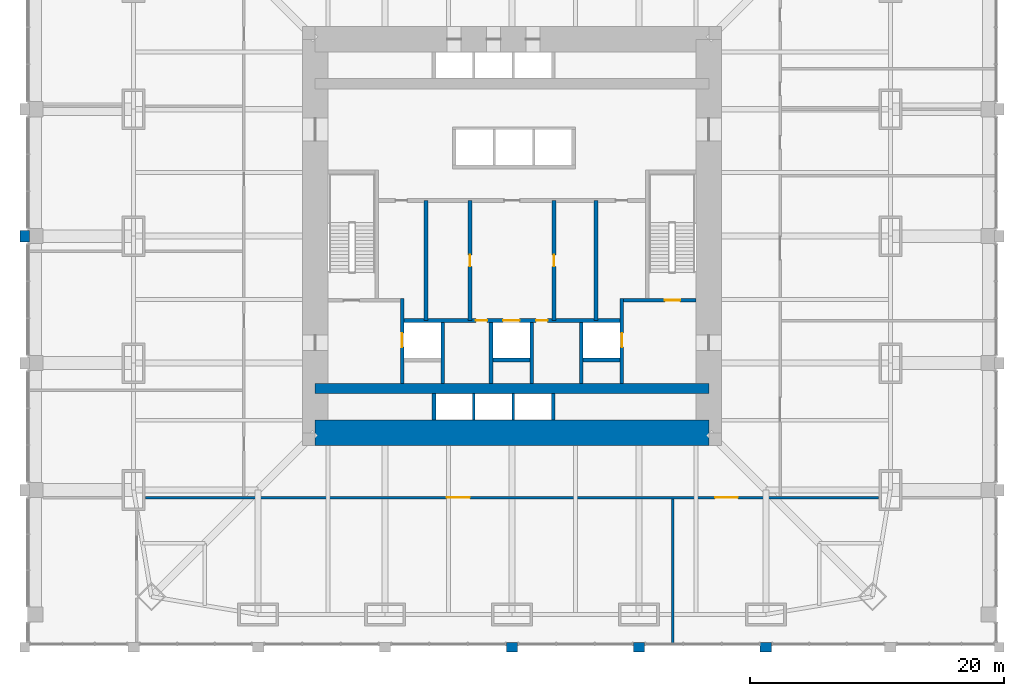
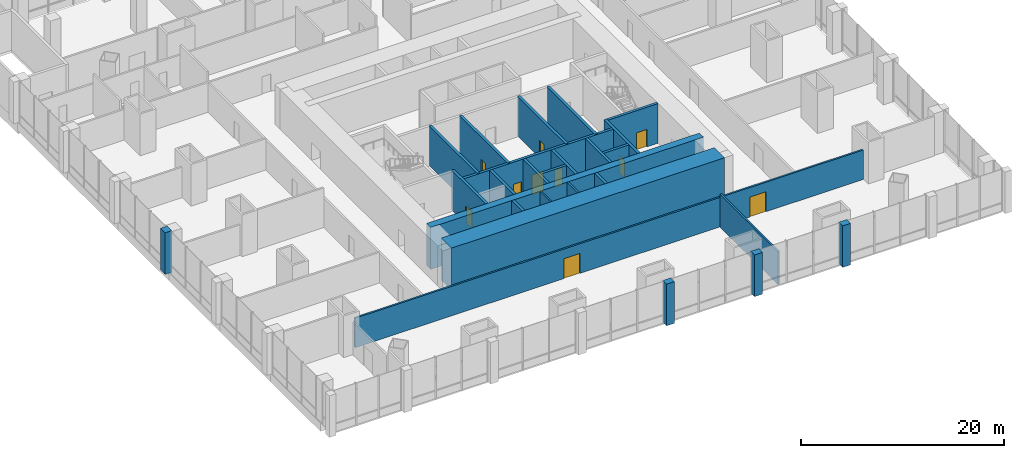
# One storey, part 17 of 22: 26 walls, 10 doors, 10 openings.
"""IFC4 building model written with IfcOpenShell, lengths in metres."""

from ifc_helpers import new_model, si_unit, direction, frame, frame_2d, origin, place, context, subcontext, project, spatial, rectangle, extrude, material, layer, layer_set, type_object, element, fill, save


model = new_model("IFC4")

# Units and contexts
model_context = context("Model", 3, precision=1e-05, world=origin(), true_north=direction((0.0, 1.0)))
body_context = subcontext(model_context, "Body", "Model", "MODEL_VIEW")
ifc_project = project(units=[si_unit("LENGTHUNIT", "METRE"), si_unit("AREAUNIT", "SQUARE_METRE"), si_unit("VOLUMEUNIT", "CUBIC_METRE"), si_unit("PLANEANGLEUNIT", "RADIAN"), si_unit("MASSUNIT", "GRAM", prefix="KILO")], contexts=[model_context])

# Site, building, storey
site_placement = place(None, origin())
site = spatial("IfcSite", under=ifc_project, at=site_placement, CompositionType="ELEMENT")
building_placement = place(site_placement, origin())
building = spatial("IfcBuilding", under=site, at=building_placement, Name="Khuree Lantern Residences", CompositionType="ELEMENT")
storey_placement = place(building_placement, frame((0.0, 0.0, 16.0)))
storey = spatial("IfcBuildingStorey", under=building, at=storey_placement, Name="L03", CompositionType="ELEMENT", Elevation=16.0)

# Wall, opening, door
ifc_material_1 = material(Name="Dense concrete blockwork", Category="masonry")
ifc_layer_1 = layer(ifc_material_1, 0.300048828125)
ifc_layer_set_1 = layer_set([ifc_layer_1], Name="CORE PARTITION WALL CPW300 EI 120")
wall_type_1 = type_object("IfcWallType", Name="CORE PARTITION WALL CPW300 EI 120", PredefinedType="PARTITIONING", material=ifc_layer_set_1)
wall_1_placement = place(storey_placement, frame((-8.64990234375, -11.60009765625, 0.0), z_axis=(0.0, 0.0, 1.0), x_axis=(0.0, 1.0, 0.0)))
wall_1 = element("IfcWall", 1, at=wall_1_placement, inside=storey, type_object=wall_type_1, Name="L03 CORE WALL FL1W", PredefinedType="PARTITIONING", context=body_context, shape_type="SweptSolid", body=[
    extrude(rectangle(XDim=6.7001953125, YDim=0.300048828125, at=frame_2d((3.35009765625, 0.0))), origin(), (0.0, 0.0, 1.0), 4.75),
])
opening_1_placement = place(wall_1_placement, frame((2.85009765625, 0.0, 0.0)))
opening_1 = element("IfcOpeningElement", 2, at=opening_1_placement, cuts=wall_1, Name="Opening 03-007", PredefinedType="OPENING", context=body_context, shape_type="SweptSolid", body=[
    extrude(rectangle(XDim=1.10009765625, YDim=2.10009765625, at=frame_2d((0.550048828125, 1.050048828125))), frame((0.0, 0.16015625, 0.0), z_axis=(0.0, -1.0, 0.0), x_axis=(1.0, 0.0, 0.0)), (0.0, 0.0, 1.0), 0.320068359375),
])
ifc_material_2 = material(Name="Stainless steel lift landing door", Category="steel")
door_type_1 = type_object("IfcDoorType", Name="LIFT LANDING DOOR 1100X2100 E 120", OperationType="DOUBLE_DOOR_SLIDING", PredefinedType="DOOR", material=ifc_material_2)
door_1_placement = place(opening_1_placement, origin())
door_1 = element("IfcDoor", 3, at=door_1_placement, inside=storey, type_object=door_type_1, Name="Landing door FL1 03-007", OperationType="DOUBLE_DOOR_SLIDING", OverallHeight=2.10009765625, OverallWidth=1.10009765625, PredefinedType="DOOR", context=body_context, shape_type="SweptSolid", body=[
    extrude(rectangle(XDim=1.10009765625, YDim=2.10009765625, at=frame_2d((0.550048828125, 1.050048828125))), frame((0.0, 0.02490234375, 0.0), z_axis=(0.0, -1.0, 0.0), x_axis=(1.0, 0.0, 0.0)), (0.0, 0.0, 1.0), 0.050048828125),
])
fill(opening_1, door_1)

wall_2_placement = place(storey_placement, frame((8.64990234375, -11.60009765625, 0.0), z_axis=(0.0, 0.0, 1.0), x_axis=(0.0, 1.0, 0.0)))
wall_2 = element("IfcWall", 4, at=wall_2_placement, inside=storey, type_object=wall_type_1, Name="L03 CORE WALL FL2E", PredefinedType="PARTITIONING", context=body_context, shape_type="SweptSolid", body=[
    extrude(rectangle(XDim=6.7001953125, YDim=0.300048828125, at=frame_2d((3.35009765625, 0.0))), origin(), (0.0, 0.0, 1.0), 4.75),
])
opening_2_placement = place(wall_2_placement, frame((2.85009765625, 0.0, 0.0)))
opening_2 = element("IfcOpeningElement", 5, at=opening_2_placement, cuts=wall_2, Name="Opening 03-008", PredefinedType="OPENING", context=body_context, shape_type="SweptSolid", body=[
    extrude(rectangle(XDim=1.10009765625, YDim=2.10009765625, at=frame_2d((0.550048828125, 1.050048828125))), frame((0.0, 0.16015625, 0.0), z_axis=(0.0, -1.0, 0.0), x_axis=(1.0, 0.0, 0.0)), (0.0, 0.0, 1.0), 0.320068359375),
])
door_2_placement = place(opening_2_placement, origin())
door_2 = element("IfcDoor", 6, at=door_2_placement, inside=storey, type_object=door_type_1, Name="Landing door FL2 03-008", OperationType="DOUBLE_DOOR_SLIDING", OverallHeight=2.10009765625, OverallWidth=1.10009765625, PredefinedType="DOOR", context=body_context, shape_type="SweptSolid", body=[
    extrude(rectangle(XDim=1.10009765625, YDim=2.10009765625, at=frame_2d((0.550048828125, 1.050048828125))), frame((0.0, 0.02490234375, 0.0), z_axis=(0.0, -1.0, 0.0), x_axis=(1.0, 0.0, 0.0)), (0.0, 0.0, 1.0), 0.050048828125),
])
fill(opening_2, door_2)

# Wall, openings, doors
wall_3_placement = place(storey_placement, frame((-8.5, -6.64990234375, 0.0), z_axis=(0.0, 0.0, 1.0), x_axis=(1.0, 0.0, 0.0)))
wall_3 = element("IfcWall", 7, at=wall_3_placement, inside=storey, type_object=wall_type_1, Name="L03 CORE WALL FLROW", PredefinedType="PARTITIONING", context=body_context, shape_type="SweptSolid", body=[
    extrude(rectangle(XDim=17.0, YDim=0.300048828125, at=frame_2d((8.5, 0.0))), origin(), (0.0, 0.0, 1.0), 4.75),
])
opening_3_placement = place(wall_3_placement, frame((7.800048828125, 0.0, 0.0)))
opening_3 = element("IfcOpeningElement", 8, at=opening_3_placement, cuts=wall_3, Name="Opening 03-012", PredefinedType="OPENING", context=body_context, shape_type="SweptSolid", body=[
    extrude(rectangle(XDim=1.300048828125, YDim=2.39990234375, at=frame_2d((0.64990234375, 1.199951171875))), frame((0.0, 0.16015625, 0.0), z_axis=(0.0, -1.0, 0.0), x_axis=(1.0, 0.0, 0.0)), (0.0, 0.0, 1.0), 0.320068359375),
])
opening_4_placement = place(wall_3_placement, frame((5.64990234375, 0.0, 0.0)))
opening_4 = element("IfcOpeningElement", 9, at=opening_4_placement, cuts=wall_3, Name="Opening 03-014", PredefinedType="OPENING", context=body_context, shape_type="SweptSolid", body=[
    extrude(rectangle(XDim=0.89990234375, YDim=2.10009765625, at=frame_2d((0.449951171875, 1.050048828125))), frame((0.0, 0.16015625, 0.0), z_axis=(0.0, -1.0, 0.0), x_axis=(1.0, 0.0, 0.0)), (0.0, 0.0, 1.0), 0.320068359375),
])
opening_5_placement = place(wall_3_placement, frame((10.39990234375, 0.0, 0.0)))
opening_5 = element("IfcOpeningElement", 10, at=opening_5_placement, cuts=wall_3, Name="Opening 03-015", PredefinedType="OPENING", context=body_context, shape_type="SweptSolid", body=[
    extrude(rectangle(XDim=0.89990234375, YDim=2.10009765625, at=frame_2d((0.449951171875, 1.050048828125))), frame((0.0, 0.16015625, 0.0), z_axis=(0.0, -1.0, 0.0), x_axis=(1.0, 0.0, 0.0)), (0.0, 0.0, 1.0), 0.320068359375),
])
ifc_material_3 = material(Name="Steel door leaf in steel frame", Category="steel")
door_type_2 = type_object("IfcDoorType", Name="DOOR 900X2100 EI 60", OperationType="SINGLE_SWING_LEFT", PredefinedType="DOOR", material=ifc_material_3)
door_3_placement = place(opening_4_placement, origin())
door_3 = element("IfcDoor", 11, at=door_3_placement, inside=storey, type_object=door_type_2, Name="Electrical riser door 03-014", OperationType="SINGLE_SWING_LEFT", OverallHeight=2.10009765625, OverallWidth=0.89990234375, PredefinedType="DOOR", context=body_context, shape_type="SweptSolid", body=[
    extrude(rectangle(XDim=0.89990234375, YDim=2.10009765625, at=frame_2d((0.449951171875, 1.050048828125))), frame((0.0, 0.02490234375, 0.0), z_axis=(0.0, -1.0, 0.0), x_axis=(1.0, 0.0, 0.0)), (0.0, 0.0, 1.0), 0.050048828125),
])
fill(opening_4, door_3)
door_type_3 = type_object("IfcDoorType", Name="DOOR 900X2100 EI 60 RIGHT HAND", OperationType="SINGLE_SWING_RIGHT", PredefinedType="DOOR", material=ifc_material_3)
door_4_placement = place(opening_5_placement, origin())
door_4 = element("IfcDoor", 12, at=door_4_placement, inside=storey, type_object=door_type_3, Name="Plumbing riser door 03-015", OperationType="SINGLE_SWING_RIGHT", OverallHeight=2.10009765625, OverallWidth=0.89990234375, PredefinedType="DOOR", context=body_context, shape_type="SweptSolid", body=[
    extrude(rectangle(XDim=0.89990234375, YDim=2.10009765625, at=frame_2d((0.449951171875, 1.050048828125))), frame((0.0, 0.02490234375, 0.0), z_axis=(0.0, -1.0, 0.0), x_axis=(1.0, 0.0, 0.0)), (0.0, 0.0, 1.0), 0.050048828125),
])
fill(opening_5, door_4)
door_type_4 = type_object("IfcDoorType", Name="LIFT LANDING DOOR 1300X2400 E 60", OperationType="DOUBLE_DOOR_SLIDING", PredefinedType="DOOR", material=ifc_material_2)
door_5_placement = place(opening_3_placement, origin())
door_5 = element("IfcDoor", 13, at=door_5_placement, inside=storey, type_object=door_type_4, Name="Landing door SL1 03-012", OperationType="DOUBLE_DOOR_SLIDING", OverallHeight=2.39990234375, OverallWidth=1.300048828125, PredefinedType="DOOR", context=body_context, shape_type="SweptSolid", body=[
    extrude(rectangle(XDim=1.300048828125, YDim=2.39990234375, at=frame_2d((0.64990234375, 1.199951171875))), frame((0.0, 0.02490234375, 0.0), z_axis=(0.0, -1.0, 0.0), x_axis=(1.0, 0.0, 0.0)), (0.0, 0.0, 1.0), 0.050048828125),
])
fill(opening_3, door_5)

# Walls
for number, where, z_axis, x_axis, name in (
    (14, (-5.449951171875, -11.60009765625, 0.0), (0.0, 0.0, 1.0), (0.0, 1.0, 0.0), "L03 CORE WALL FL1E"),
    (15, (-1.64990234375, -11.60009765625, 0.0), (0.0, 0.0, 1.0), (0.0, 1.0, 0.0), "L03 CORE WALL SL1W"),
    (16, (1.550048828125, -11.60009765625, 0.0), (0.0, 0.0, 1.0), (0.0, 1.0, 0.0), "L03 CORE WALL SL1E"),
    (17, (5.449951171875, -11.60009765625, 0.0), (0.0, 0.0, 1.0), (0.0, 1.0, 0.0), "L03 CORE WALL FL2W"),
):
    element("IfcWall", number, at=place(storey_placement, frame(where, z_axis=z_axis, x_axis=x_axis)), inside=storey, type_object=wall_type_1, Name=name, PredefinedType="PARTITIONING", context=body_context, shape_type="SweptSolid", body=[
        extrude(rectangle(XDim=4.800048828125, YDim=0.300048828125, at=frame_2d((2.39990234375, 0.0))), origin(), (0.0, 0.0, 1.0), 4.75),
    ])
for number, where, z_axis, x_axis, name in (
    (18, (-1.5, -9.75, 0.0), (0.0, 0.0, 1.0), (1.0, 0.0, 0.0), "L03 CORE WALL SL1S"),
    (19, (5.60009765625, -9.75, 0.0), (0.0, 0.0, 1.0), (1.0, 0.0, 0.0), "L03 CORE WALL FL2S"),
):
    element("IfcWall", number, at=place(storey_placement, frame(where, z_axis=z_axis, x_axis=x_axis)), inside=storey, type_object=wall_type_1, Name=name, PredefinedType="PARTITIONING", context=body_context, shape_type="SweptSolid", body=[
        extrude(rectangle(XDim=2.89990234375, YDim=0.300048828125, at=frame_2d((1.449951171875, 0.0))), origin(), (0.0, 0.0, 1.0), 4.75),
    ])
for number, where, z_axis, x_axis, name in (
    (20, (-6.14990234375, -14.5, 0.0), (0.0, 0.0, 1.0), (0.0, 1.0, 0.0), "L03 CORE WALL PMW"),
    (21, (3.25, -14.5, 0.0), (0.0, 0.0, 1.0), (0.0, 1.0, 0.0), "L03 CORE WALL PME"),
):
    element("IfcWall", number, at=place(storey_placement, frame(where, z_axis=z_axis, x_axis=x_axis)), inside=storey, type_object=wall_type_1, Name=name, PredefinedType="PARTITIONING", context=body_context, shape_type="SweptSolid", body=[
        extrude(rectangle(XDim=2.10009765625, YDim=0.300048828125, at=frame_2d((1.050048828125, 0.0))), origin(), (0.0, 0.0, 1.0), 4.75),
    ])

# Wall, opening, door
wall_4_placement = place(storey_placement, frame((-3.300048828125, -6.64990234375, 0.0), z_axis=(0.0, 0.0, 1.0), x_axis=(0.0, 1.0, 0.0)))
wall_4 = element("IfcWall", 22, at=wall_4_placement, inside=storey, type_object=wall_type_1, Name="L03 CORE WALL SVW", PredefinedType="PARTITIONING", context=body_context, shape_type="SweptSolid", body=[
    extrude(rectangle(XDim=9.449951171875, YDim=0.300048828125, at=frame_2d((4.72509765625, 0.0))), origin(), (0.0, 0.0, 1.0), 4.75),
])
opening_6_placement = place(wall_4_placement, frame((4.27490234375, 0.0, 0.0)))
opening_6 = element("IfcOpeningElement", 23, at=opening_6_placement, cuts=wall_4, Name="Opening 03-016", PredefinedType="OPENING", context=body_context, shape_type="SweptSolid", body=[
    extrude(rectangle(XDim=0.89990234375, YDim=2.10009765625, at=frame_2d((0.449951171875, 1.050048828125))), frame((0.0, 0.16015625, 0.0), z_axis=(0.0, -1.0, 0.0), x_axis=(1.0, 0.0, 0.0)), (0.0, 0.0, 1.0), 0.320068359375),
])
ifc_material_4 = material(Name="Timber door leaf in hardwood frame", Category="wood")
door_type_5 = type_object("IfcDoorType", Name="DOOR 900X2100", OperationType="SINGLE_SWING_LEFT", PredefinedType="DOOR", material=ifc_material_4)
door_6_placement = place(opening_6_placement, origin())
door_6 = element("IfcDoor", 24, at=door_6_placement, inside=storey, type_object=door_type_5, Name="Store door 03-016", OperationType="SINGLE_SWING_LEFT", OverallHeight=2.10009765625, OverallWidth=0.89990234375, PredefinedType="DOOR", context=body_context, shape_type="SweptSolid", body=[
    extrude(rectangle(XDim=0.89990234375, YDim=2.10009765625, at=frame_2d((0.449951171875, 1.050048828125))), frame((0.0, 0.02490234375, 0.0), z_axis=(0.0, -1.0, 0.0), x_axis=(1.0, 0.0, 0.0)), (0.0, 0.0, 1.0), 0.050048828125),
])
fill(opening_6, door_6)

wall_5_placement = place(storey_placement, frame((3.300048828125, -6.64990234375, 0.0), z_axis=(0.0, 0.0, 1.0), x_axis=(0.0, 1.0, 0.0)))
wall_5 = element("IfcWall", 25, at=wall_5_placement, inside=storey, type_object=wall_type_1, Name="L03 CORE WALL SVE", PredefinedType="PARTITIONING", context=body_context, shape_type="SweptSolid", body=[
    extrude(rectangle(XDim=9.449951171875, YDim=0.300048828125, at=frame_2d((4.72509765625, 0.0))), origin(), (0.0, 0.0, 1.0), 4.75),
])
opening_7_placement = place(wall_5_placement, frame((4.27490234375, 0.0, 0.0)))
opening_7 = element("IfcOpeningElement", 26, at=opening_7_placement, cuts=wall_5, Name="Opening 03-018", PredefinedType="OPENING", context=body_context, shape_type="SweptSolid", body=[
    extrude(rectangle(XDim=0.89990234375, YDim=2.10009765625, at=frame_2d((0.449951171875, 1.050048828125))), frame((0.0, 0.16015625, 0.0), z_axis=(0.0, -1.0, 0.0), x_axis=(1.0, 0.0, 0.0)), (0.0, 0.0, 1.0), 0.320068359375),
])
door_7_placement = place(opening_7_placement, origin())
door_7 = element("IfcDoor", 27, at=door_7_placement, inside=storey, type_object=door_type_5, Name="Store door 03-018", OperationType="SINGLE_SWING_LEFT", OverallHeight=2.10009765625, OverallWidth=0.89990234375, PredefinedType="DOOR", context=body_context, shape_type="SweptSolid", body=[
    extrude(rectangle(XDim=0.89990234375, YDim=2.10009765625, at=frame_2d((0.449951171875, 1.050048828125))), frame((0.0, 0.02490234375, 0.0), z_axis=(0.0, -1.0, 0.0), x_axis=(1.0, 0.0, 0.0)), (0.0, 0.0, 1.0), 0.050048828125),
])
fill(opening_7, door_7)

# Walls
for number, where, z_axis, x_axis, name in (
    (28, (-6.763916015625, -6.64990234375, 0.0), (0.0, 0.0, 1.0), (0.0, 1.0, 0.0), "L03 CORE WALL WV"),
    (29, (6.6220703125, -6.64990234375, 0.0), (0.0, 0.0, 1.0), (0.0, 1.0, 0.0), "L03 CORE WALL EV"),
):
    element("IfcWall", number, at=place(storey_placement, frame(where, z_axis=z_axis, x_axis=x_axis)), inside=storey, type_object=wall_type_1, Name=name, PredefinedType="PARTITIONING", context=body_context, shape_type="SweptSolid", body=[
        extrude(rectangle(XDim=9.449951171875, YDim=0.300048828125, at=frame_2d((4.72509765625, 0.0))), origin(), (0.0, 0.0, 1.0), 4.75),
    ])
ifc_material_5 = material(Name="Concrete C70/85", Category="concrete")
ifc_layer_2 = layer(ifc_material_5, 2.0)
ifc_layer_set_2 = layer_set([ifc_layer_2], Name="CW2000-C70 CORE WALL C70 2000")
wall_type_2 = type_object("IfcWallType", Name="CW2000-C70 CORE WALL C70 2000", PredefinedType="SHEAR", material=ifc_layer_set_2)
wall_6_placement = place(storey_placement, frame((-15.5, -15.5, -0.300048828125), z_axis=(0.0, 0.0, 1.0), x_axis=(1.0, 0.0, 0.0)))
element("IfcWall", 30, at=wall_6_placement, inside=storey, type_object=wall_type_2, Name="Core wall S", PredefinedType="SHEAR", context=body_context, shape_type="SweptSolid", body=[
    extrude(rectangle(XDim=31.0, YDim=2.0, at=frame_2d((15.5, 0.0))), origin(), (0.0, 0.0, 1.0), 5.050048828125),
])

# Wall, openings, doors
ifc_layer_3 = layer(ifc_material_1, 0.199951171875)
ifc_layer_set_3 = layer_set([ifc_layer_3], Name="FIRE-RATED ROOM WALL FRW200 EI 120")
wall_type_3 = type_object("IfcWallType", Name="FIRE-RATED ROOM WALL FRW200 EI 120", PredefinedType="SOLIDWALL", material=ifc_layer_set_3)
wall_7_placement = place(storey_placement, frame((-28.869873046875, -20.591064453125, 0.0), z_axis=(0.0, 0.0, 1.0), x_axis=(1.0, 0.0, 0.0)))
wall_7 = element("IfcWall", 31, at=wall_7_placement, inside=storey, type_object=wall_type_3, Name="L03 ROOM WALL 5", PredefinedType="SOLIDWALL", context=body_context, shape_type="SweptSolid", body=[
    extrude(rectangle(XDim=57.73974609375, YDim=0.199951171875, at=frame_2d((28.869873046875, 0.0))), origin(), (0.0, 0.0, 1.0), 3.550048828125),
])
opening_8_placement = place(wall_7_placement, frame((23.747802734375, 0.0, 0.0)))
opening_8 = element("IfcOpeningElement", 32, at=opening_8_placement, cuts=wall_7, Name="Opening 03-023", PredefinedType="OPENING", context=body_context, shape_type="SweptSolid", body=[
    extrude(rectangle(XDim=1.800048828125, YDim=2.39990234375, at=frame_2d((0.89990234375, 1.199951171875))), frame((0.0, 0.10986328125, 0.0), z_axis=(0.0, -1.0, 0.0), x_axis=(1.0, 0.0, 0.0)), (0.0, 0.0, 1.0), 0.219970703125),
])
opening_9_placement = place(wall_7_placement, frame((44.85888671875, 0.0, 0.0)))
opening_9 = element("IfcOpeningElement", 33, at=opening_9_placement, cuts=wall_7, Name="Opening 03-024", PredefinedType="OPENING", context=body_context, shape_type="SweptSolid", body=[
    extrude(rectangle(XDim=1.800048828125, YDim=2.39990234375, at=frame_2d((0.89990234375, 1.199951171875))), frame((0.0, 0.10986328125, 0.0), z_axis=(0.0, -1.0, 0.0), x_axis=(1.0, 0.0, 0.0)), (0.0, 0.0, 1.0), 0.219970703125),
])
door_type_6 = type_object("IfcDoorType", Name="DOUBLE DOOR 1800X2400", OperationType="DOUBLE_DOOR_SINGLE_SWING", PredefinedType="DOOR", material=ifc_material_4)
door_8_placement = place(opening_8_placement, origin())
door_8 = element("IfcDoor", 34, at=door_8_placement, inside=storey, type_object=door_type_6, Name="Pool hall door 03-023", OperationType="DOUBLE_DOOR_SINGLE_SWING", OverallHeight=2.39990234375, OverallWidth=1.800048828125, PredefinedType="DOOR", context=body_context, shape_type="SweptSolid", body=[
    extrude(rectangle(XDim=1.800048828125, YDim=2.39990234375, at=frame_2d((0.89990234375, 1.199951171875))), frame((0.0, 0.02490234375, 0.0), z_axis=(0.0, -1.0, 0.0), x_axis=(1.0, 0.0, 0.0)), (0.0, 0.0, 1.0), 0.050048828125),
])
fill(opening_8, door_8)
door_9_placement = place(opening_9_placement, origin())
door_9 = element("IfcDoor", 35, at=door_9_placement, inside=storey, type_object=door_type_6, Name="Gymnasium door 03-024", OperationType="DOUBLE_DOOR_SINGLE_SWING", OverallHeight=2.39990234375, OverallWidth=1.800048828125, PredefinedType="DOOR", context=body_context, shape_type="SweptSolid", body=[
    extrude(rectangle(XDim=1.800048828125, YDim=2.39990234375, at=frame_2d((0.89990234375, 1.199951171875))), frame((0.0, 0.02490234375, 0.0), z_axis=(0.0, -1.0, 0.0), x_axis=(1.0, 0.0, 0.0)), (0.0, 0.0, 1.0), 0.050048828125),
])
fill(opening_9, door_9)

# Walls
ifc_material_6 = material(Name="Flamed granite cladding on blockwork", Category="masonry")
ifc_layer_4 = layer(ifc_material_6, 0.75)
ifc_layer_set_4 = layer_set([ifc_layer_4], Name="PODIUM PIER PR1 900X750")
wall_type_4 = type_object("IfcWallType", Name="PODIUM PIER PR1 900X750", PredefinedType="SOLIDWALL", material=ifc_layer_set_4)
for number, where, z_axis, x_axis, name in (
    (36, (-0.449951171875, -32.375, 0.0), (0.0, 0.0, 1.0), (1.0, 0.0, 0.0), "L03 SOUTH FACE PIER 4"),
    (37, (9.550048828125, -32.375, 0.0), (0.0, 0.0, 1.0), (1.0, 0.0, 0.0), "L03 SOUTH FACE PIER 5"),
    (38, (19.550048828125, -32.375, 0.0), (0.0, 0.0, 1.0), (1.0, 0.0, 0.0), "L03 SOUTH FACE PIER 6"),
    (39, (-38.375, 0.449951171875, 0.0), (0.0, 0.0, 1.0), (0.0, -1.0, 0.0), "L03 WEST FACE PIER 5"),
):
    element("IfcWall", number, at=place(storey_placement, frame(where, z_axis=z_axis, x_axis=x_axis)), inside=storey, type_object=wall_type_4, Name=name, PredefinedType="SOLIDWALL", context=body_context, shape_type="SweptSolid", body=[
        extrude(rectangle(XDim=0.89990234375, YDim=0.75, at=frame_2d((0.449951171875, 0.0))), origin(), (0.0, 0.0, 1.0), 5.0),
    ])
ifc_layer_5 = layer(ifc_material_1, 0.199951171875)
ifc_layer_set_5 = layer_set([ifc_layer_5], Name="ROOM WALL RMW200")
wall_type_5 = type_object("IfcWallType", Name="ROOM WALL RMW200", PredefinedType="SOLIDWALL", material=ifc_layer_set_5)
wall_8_placement = place(storey_placement, frame((12.6669921875, -32.074951171875, 0.0), z_axis=(0.0, 0.0, 1.0), x_axis=(0.0, 1.0, 0.0)))
element("IfcWall", 40, at=wall_8_placement, inside=storey, type_object=wall_type_5, Name="L03 ROOM WALL 1", PredefinedType="SOLIDWALL", context=body_context, shape_type="SweptSolid", body=[
    extrude(rectangle(XDim=11.384033203125, YDim=0.199951171875, at=frame_2d((5.69189453125, 0.0))), origin(), (0.0, 0.0, 1.0), 3.9599609375),
])
ifc_layer_6 = layer(ifc_material_1, 0.199951171875)
ifc_layer_set_6 = layer_set([ifc_layer_6], Name="SHAFT WALL SHW200 EI 120")
wall_type_6 = type_object("IfcWallType", Name="SHAFT WALL SHW200 EI 120", PredefinedType="PARTITIONING", material=ifc_layer_set_6)
for number, where, z_axis, x_axis, name in (
    (41, (-3.0, -14.5, 0.0), (0.0, 0.0, 1.0), (0.0, 1.0, 0.0), "L03 CORE WALL PMD1"),
    (42, (0.10009765625, -14.5, 0.0), (0.0, 0.0, 1.0), (0.0, 1.0, 0.0), "L03 CORE WALL PMD2"),
):
    element("IfcWall", number, at=place(storey_placement, frame(where, z_axis=z_axis, x_axis=x_axis)), inside=storey, type_object=wall_type_6, Name=name, PredefinedType="PARTITIONING", context=body_context, shape_type="SweptSolid", body=[
        extrude(rectangle(XDim=2.10009765625, YDim=0.199951171875, at=frame_2d((1.050048828125, 0.0))), origin(), (0.0, 0.0, 1.0), 4.75),
    ])
ifc_layer_7 = layer(ifc_material_5, 0.800048828125)
ifc_layer_set_7 = layer_set([ifc_layer_7], Name="SP800-C70 CORE SPINE WALL C70 800")
wall_type_7 = type_object("IfcWallType", Name="SP800-C70 CORE SPINE WALL C70 800", PredefinedType="SHEAR", material=ifc_layer_set_7)
wall_9_placement = place(storey_placement, frame((-15.5, -12.0, -0.300048828125), z_axis=(0.0, 0.0, 1.0), x_axis=(1.0, 0.0, 0.0)))
element("IfcWall", 43, at=wall_9_placement, inside=storey, type_object=wall_type_7, Name="Core wall SPS", PredefinedType="SHEAR", context=body_context, shape_type="SweptSolid", body=[
    extrude(rectangle(XDim=31.0, YDim=0.800048828125, at=frame_2d((15.5, 0.0))), origin(), (0.0, 0.0, 1.0), 5.050048828125),
])

# Wall, opening, door
ifc_material_7 = material(Name="Concrete C50/60", Category="concrete")
ifc_layer_8 = layer(ifc_material_7, 0.300048828125)
ifc_layer_set_8 = layer_set([ifc_layer_8], Name="STAIR WALL SRW300 C50/60 REI 240")
wall_type_8 = type_object("IfcWallType", Name="STAIR WALL SRW300 C50/60 REI 240", PredefinedType="SOLIDWALL", material=ifc_layer_set_8)
wall_10_placement = place(storey_placement, frame((14.5, -5.050048828125, 0.0), z_axis=(0.0, 0.0, 1.0), x_axis=(-1.0, 0.0, 0.0)))
wall_10 = element("IfcWall", 44, at=wall_10_placement, inside=storey, type_object=wall_type_8, Name="L03 STAIR WALL ST2S", PredefinedType="SOLIDWALL", context=body_context, shape_type="SweptSolid", body=[
    extrude(rectangle(XDim=5.699951171875, YDim=0.300048828125, at=frame_2d((2.85009765625, 0.0))), origin(), (0.0, 0.0, 1.0), 4.75),
])
opening_10_placement = place(wall_10_placement, frame((1.25, 0.0, 0.0)))
opening_10 = element("IfcOpeningElement", 45, at=opening_10_placement, cuts=wall_10, Name="Opening 03-004", PredefinedType="OPENING", context=body_context, shape_type="SweptSolid", body=[
    extrude(rectangle(XDim=1.199951171875, YDim=2.10009765625, at=frame_2d((0.60009765625, 1.050048828125))), frame((0.0, 0.16015625, 0.0), z_axis=(0.0, -1.0, 0.0), x_axis=(1.0, 0.0, 0.0)), (0.0, 0.0, 1.0), 0.320068359375),
])
door_type_7 = type_object("IfcDoorType", Name="STAIR DOOR 1200X2100 EI 120", OperationType="SINGLE_SWING_LEFT", PredefinedType="DOOR", material=ifc_material_3)
door_10_placement = place(opening_10_placement, origin())
door_10 = element("IfcDoor", 46, at=door_10_placement, inside=storey, type_object=door_type_7, Name="Stair ST2 door 03-004", OperationType="SINGLE_SWING_LEFT", OverallHeight=2.10009765625, OverallWidth=1.199951171875, PredefinedType="DOOR", context=body_context, shape_type="SweptSolid", body=[
    extrude(rectangle(XDim=1.199951171875, YDim=2.10009765625, at=frame_2d((0.60009765625, 1.050048828125))), frame((0.0, 0.02490234375, 0.0), z_axis=(0.0, -1.0, 0.0), x_axis=(1.0, 0.0, 0.0)), (0.0, 0.0, 1.0), 0.050048828125),
])
fill(opening_10, door_10)

save(model, "model.ifc")
